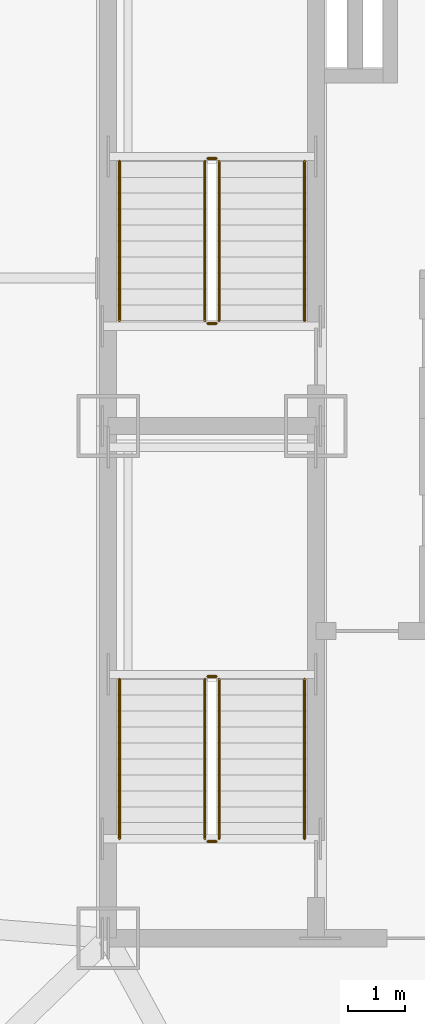
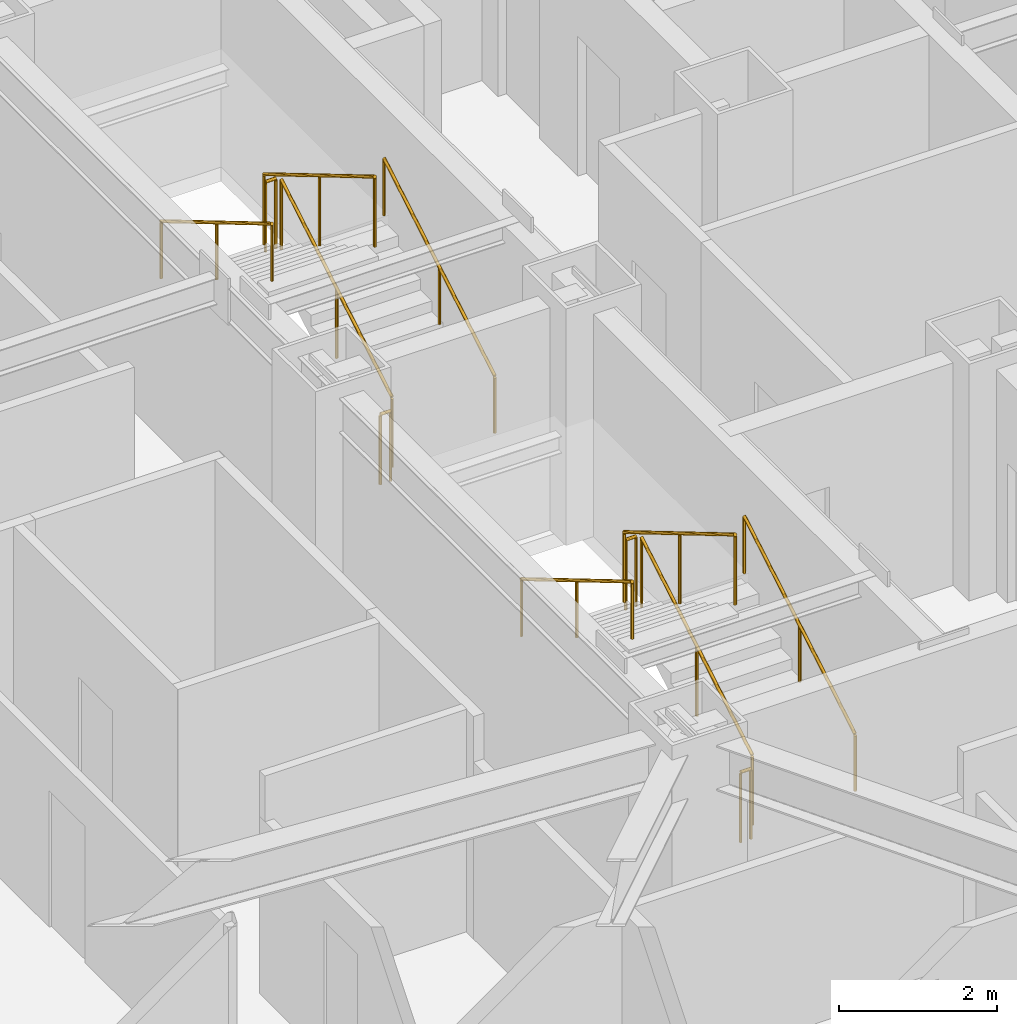
# One storey, part 11 of 11: 12 railings.
"""IFC4 building model written with IfcOpenShell, lengths in metres."""

from ifc_helpers import new_model, si_unit, direction, frame, origin, origin_2d, place, context, subcontext, project, spatial, circle, extrude, material, type_object, element, save


model = new_model("IFC4")

# Units and contexts
model_context = context("Model", 3, precision=1e-05, world=origin(), true_north=direction((0.0, 1.0)))
body_context = subcontext(model_context, "Body", "Model", "MODEL_VIEW")
ifc_project = project(units=[si_unit("LENGTHUNIT", "METRE"), si_unit("AREAUNIT", "SQUARE_METRE"), si_unit("VOLUMEUNIT", "CUBIC_METRE"), si_unit("PLANEANGLEUNIT", "RADIAN"), si_unit("MASSUNIT", "GRAM", prefix="KILO")], contexts=[model_context])

# Site, building, storey
site_placement = place(None, origin())
site = spatial("IfcSite", under=ifc_project, at=site_placement, CompositionType="ELEMENT")
building_placement = place(site_placement, origin())
building = spatial("IfcBuilding", under=site, at=building_placement, Name="Khamvora Tower", CompositionType="ELEMENT")
storey_placement = place(building_placement, frame((0.0, 0.0, 163.199951171875)))
storey = spatial("IfcBuildingStorey", under=building, at=storey_placement, Name="L41", CompositionType="ELEMENT", Elevation=163.199951171875)

# Railings
ifc_material_1 = material(Name="Brushed Stainless Steel 316", Category="steel")
railing_type_1 = type_object("IfcRailingType", Name="RAL-HDR-920", PredefinedType="HANDRAIL", material=ifc_material_1)
railing_1_placement = place(storey_placement, frame((32.449951171875, 20.75, 0.166015625)))
element("IfcRailing", 1, at=railing_1_placement, inside=storey, type_object=railing_type_1, Name="L41 ST-01 stair handrail 1", PredefinedType="HANDRAIL", context=body_context, shape_type="SweptSolid", body=[
    extrude(circle(Radius=0.02392578125, at=origin_2d()), frame((0.0, 0.0, 0.8759765625), z_axis=(0.0, 0.860339051648, 0.50972219513), x_axis=(-1.0, 0.0, 0.0)), (0.0, 0.0, 1.0), 3.254638671875),
    extrude(circle(Radius=0.02099609375, at=origin_2d()), origin(), (0.0, 0.0, 1.0), 0.851806640625),
    extrude(circle(Radius=0.02099609375, at=origin_2d()), frame((0.0, 1.39990234375, 0.82958984375)), (0.0, 0.0, 1.0), 0.851806640625),
    extrude(circle(Radius=0.02099609375, at=origin_2d()), frame((0.0, 2.800048828125, 1.658935546875)), (0.0, 0.0, 1.0), 0.851806640625),
])
railing_2_placement = place(storey_placement, frame((29.199951171875, 23.550048828125, 1.990966796875)))
element("IfcRailing", 2, at=railing_2_placement, inside=storey, type_object=railing_type_1, Name="L41 ST-01 stair handrail 2", PredefinedType="HANDRAIL", context=body_context, shape_type="SweptSolid", body=[
    extrude(circle(Radius=0.02392578125, at=origin_2d()), frame((0.0, 0.0, 0.8759765625), z_axis=(0.0, -0.860306154799, 0.50977771628), x_axis=(1.0, 0.0, 0.0)), (0.0, 0.0, 1.0), 3.254638671875),
    extrude(circle(Radius=0.02099609375, at=origin_2d()), origin(), (0.0, 0.0, 1.0), 0.851806640625),
    extrude(circle(Radius=0.02099609375, at=origin_2d()), frame((0.0, -1.39990234375, 0.82958984375)), (0.0, 0.0, 1.0), 0.851806640625),
    extrude(circle(Radius=0.02099609375, at=origin_2d()), frame((0.0, -2.800048828125, 1.6591796875)), (0.0, 0.0, 1.0), 0.851806640625),
])
railing_3_placement = place(storey_placement, frame((32.449951171875, 29.85009765625, 0.166015625)))
element("IfcRailing", 3, at=railing_3_placement, inside=storey, type_object=railing_type_1, Name="L41 ST-02 stair handrail 1", PredefinedType="HANDRAIL", context=body_context, shape_type="SweptSolid", body=[
    extrude(circle(Radius=0.02392578125, at=origin_2d()), frame((0.0, 0.0, 0.8759765625), z_axis=(0.0, 0.860319559791, 0.509755093197), x_axis=(-1.0, 0.0, 0.0)), (0.0, 0.0, 1.0), 3.25439453125),
    extrude(circle(Radius=0.02099609375, at=origin_2d()), origin(), (0.0, 0.0, 1.0), 0.851806640625),
    extrude(circle(Radius=0.02099609375, at=origin_2d()), frame((0.0, 1.39990234375, 0.82958984375)), (0.0, 0.0, 1.0), 0.851806640625),
    extrude(circle(Radius=0.02099609375, at=origin_2d()), frame((0.0, 2.7998046875, 1.658935546875)), (0.0, 0.0, 1.0), 0.851806640625),
])
railing_4_placement = place(storey_placement, frame((29.199951171875, 32.64990234375, 1.990966796875)))
element("IfcRailing", 4, at=railing_4_placement, inside=storey, type_object=railing_type_1, Name="L41 ST-02 stair handrail 2", PredefinedType="HANDRAIL", context=body_context, shape_type="SweptSolid", body=[
    extrude(circle(Radius=0.02392578125, at=origin_2d()), frame((0.0, 0.0, 0.8759765625), z_axis=(0.0, -0.860286659441, 0.509810615413), x_axis=(1.0, 0.0, 0.0)), (0.0, 0.0, 1.0), 3.25439453125),
    extrude(circle(Radius=0.02099609375, at=origin_2d()), origin(), (0.0, 0.0, 1.0), 0.851806640625),
    extrude(circle(Radius=0.02099609375, at=origin_2d()), frame((0.0, -1.39990234375, 0.82958984375)), (0.0, 0.0, 1.0), 0.851806640625),
    extrude(circle(Radius=0.02099609375, at=origin_2d()), frame((0.0, -2.7998046875, 1.6591796875)), (0.0, 0.0, 1.0), 0.851806640625),
])
ifc_material_2 = material(Name="Stainless Steel 316", Category="steel")
railing_type_2 = type_object("IfcRailingType", Name="RAL-STG-1100", PredefinedType="GUARDRAIL", material=ifc_material_2)
railing_5_placement = place(storey_placement, frame((30.949951171875, 20.75, 0.166015625)))
element("IfcRailing", 5, at=railing_5_placement, inside=storey, type_object=railing_type_2, Name="L41 ST-01 stair guard 1", PredefinedType="GUARDRAIL", context=body_context, shape_type="SweptSolid", body=[
    extrude(circle(Radius=0.02392578125, at=origin_2d()), frame((0.0, 0.0, 1.076171875), z_axis=(0.0, 0.860339051648, 0.50972219513), x_axis=(-1.0, 0.0, 0.0)), (0.0, 0.0, 1.0), 3.254638671875),
    extrude(circle(Radius=0.02099609375, at=origin_2d()), origin(), (0.0, 0.0, 1.0), 1.052001953125),
    extrude(circle(Radius=0.02099609375, at=origin_2d()), frame((0.0, 1.39990234375, 0.82958984375)), (0.0, 0.0, 1.0), 1.052001953125),
    extrude(circle(Radius=0.02099609375, at=origin_2d()), frame((0.0, 2.800048828125, 1.658935546875)), (0.0, 0.0, 1.0), 1.052001953125),
])
railing_6_placement = place(storey_placement, frame((30.89990234375, 23.60009765625, 1.824951171875)))
element("IfcRailing", 6, at=railing_6_placement, inside=storey, type_object=railing_type_2, Name="L41 ST-01 stair guard 2", PredefinedType="GUARDRAIL", context=body_context, shape_type="SweptSolid", body=[
    extrude(circle(Radius=0.02392578125, at=origin_2d()), frame((0.0, 0.0, 1.076171875), z_axis=(-1.0, 0.0, 0.0), x_axis=(0.0, -1.0, 0.0)), (0.0, 0.0, 1.0), 0.14990234375),
    extrude(circle(Radius=0.02099609375, at=origin_2d()), origin(), (0.0, 0.0, 1.0), 1.052001953125),
    extrude(circle(Radius=0.02099609375, at=origin_2d()), frame((-0.14990234375, 0.0, 0.0)), (0.0, 0.0, 1.0), 1.052001953125),
])
railing_7_placement = place(storey_placement, frame((30.699951171875, 23.550048828125, 1.990966796875)))
element("IfcRailing", 7, at=railing_7_placement, inside=storey, type_object=railing_type_2, Name="L41 ST-01 stair guard 3", PredefinedType="GUARDRAIL", context=body_context, shape_type="SweptSolid", body=[
    extrude(circle(Radius=0.02392578125, at=origin_2d()), frame((0.0, 0.0, 1.076171875), z_axis=(0.0, -0.860306154799, 0.50977771628), x_axis=(1.0, 0.0, 0.0)), (0.0, 0.0, 1.0), 3.254638671875),
    extrude(circle(Radius=0.02099609375, at=origin_2d()), origin(), (0.0, 0.0, 1.0), 1.052001953125),
    extrude(circle(Radius=0.02099609375, at=origin_2d()), frame((0.0, -1.39990234375, 0.82958984375)), (0.0, 0.0, 1.0), 1.052001953125),
    extrude(circle(Radius=0.02099609375, at=origin_2d()), frame((0.0, -2.800048828125, 1.6591796875)), (0.0, 0.0, 1.0), 1.052001953125),
])
railing_8_placement = place(storey_placement, frame((30.89990234375, 20.699951171875, 0.0)))
element("IfcRailing", 8, at=railing_8_placement, inside=storey, type_object=railing_type_2, Name="L41 ST-01 stair guard 4", PredefinedType="GUARDRAIL", context=body_context, shape_type="SweptSolid", body=[
    extrude(circle(Radius=0.02392578125, at=origin_2d()), frame((0.0, 0.0, 1.076171875), z_axis=(-1.0, 0.0, 0.0), x_axis=(0.0, -1.0, 0.0)), (0.0, 0.0, 1.0), 0.14990234375),
    extrude(circle(Radius=0.02099609375, at=origin_2d()), origin(), (0.0, 0.0, 1.0), 1.052001953125),
    extrude(circle(Radius=0.02099609375, at=origin_2d()), frame((-0.14990234375, 0.0, 0.0)), (0.0, 0.0, 1.0), 1.052001953125),
])
railing_9_placement = place(storey_placement, frame((30.949951171875, 29.85009765625, 0.166015625)))
element("IfcRailing", 9, at=railing_9_placement, inside=storey, type_object=railing_type_2, Name="L41 ST-02 stair guard 1", PredefinedType="GUARDRAIL", context=body_context, shape_type="SweptSolid", body=[
    extrude(circle(Radius=0.02392578125, at=origin_2d()), frame((0.0, 0.0, 1.076171875), z_axis=(0.0, 0.860319559791, 0.509755093197), x_axis=(-1.0, 0.0, 0.0)), (0.0, 0.0, 1.0), 3.25439453125),
    extrude(circle(Radius=0.02099609375, at=origin_2d()), origin(), (0.0, 0.0, 1.0), 1.052001953125),
    extrude(circle(Radius=0.02099609375, at=origin_2d()), frame((0.0, 1.39990234375, 0.82958984375)), (0.0, 0.0, 1.0), 1.052001953125),
    extrude(circle(Radius=0.02099609375, at=origin_2d()), frame((0.0, 2.7998046875, 1.658935546875)), (0.0, 0.0, 1.0), 1.052001953125),
])
railing_10_placement = place(storey_placement, frame((30.89990234375, 32.699951171875, 1.824951171875)))
element("IfcRailing", 10, at=railing_10_placement, inside=storey, type_object=railing_type_2, Name="L41 ST-02 stair guard 2", PredefinedType="GUARDRAIL", context=body_context, shape_type="SweptSolid", body=[
    extrude(circle(Radius=0.02392578125, at=origin_2d()), frame((0.0, 0.0, 1.076171875), z_axis=(-1.0, 0.0, 0.0), x_axis=(0.0, -1.0, 0.0)), (0.0, 0.0, 1.0), 0.14990234375),
    extrude(circle(Radius=0.02099609375, at=origin_2d()), origin(), (0.0, 0.0, 1.0), 1.052001953125),
    extrude(circle(Radius=0.02099609375, at=origin_2d()), frame((-0.14990234375, 0.0, 0.0)), (0.0, 0.0, 1.0), 1.052001953125),
])
railing_11_placement = place(storey_placement, frame((30.699951171875, 32.64990234375, 1.990966796875)))
element("IfcRailing", 11, at=railing_11_placement, inside=storey, type_object=railing_type_2, Name="L41 ST-02 stair guard 3", PredefinedType="GUARDRAIL", context=body_context, shape_type="SweptSolid", body=[
    extrude(circle(Radius=0.02392578125, at=origin_2d()), frame((0.0, 0.0, 1.076171875), z_axis=(0.0, -0.860286659441, 0.509810615413), x_axis=(1.0, 0.0, 0.0)), (0.0, 0.0, 1.0), 3.25439453125),
    extrude(circle(Radius=0.02099609375, at=origin_2d()), origin(), (0.0, 0.0, 1.0), 1.052001953125),
    extrude(circle(Radius=0.02099609375, at=origin_2d()), frame((0.0, -1.39990234375, 0.82958984375)), (0.0, 0.0, 1.0), 1.052001953125),
    extrude(circle(Radius=0.02099609375, at=origin_2d()), frame((0.0, -2.7998046875, 1.6591796875)), (0.0, 0.0, 1.0), 1.052001953125),
])
railing_12_placement = place(storey_placement, frame((30.89990234375, 29.800048828125, 0.0)))
element("IfcRailing", 12, at=railing_12_placement, inside=storey, type_object=railing_type_2, Name="L41 ST-02 stair guard 4", PredefinedType="GUARDRAIL", context=body_context, shape_type="SweptSolid", body=[
    extrude(circle(Radius=0.02392578125, at=origin_2d()), frame((0.0, 0.0, 1.076171875), z_axis=(-1.0, 0.0, 0.0), x_axis=(0.0, -1.0, 0.0)), (0.0, 0.0, 1.0), 0.14990234375),
    extrude(circle(Radius=0.02099609375, at=origin_2d()), origin(), (0.0, 0.0, 1.0), 1.052001953125),
    extrude(circle(Radius=0.02099609375, at=origin_2d()), frame((-0.14990234375, 0.0, 0.0)), (0.0, 0.0, 1.0), 1.052001953125),
])

save(model, "model.ifc")
